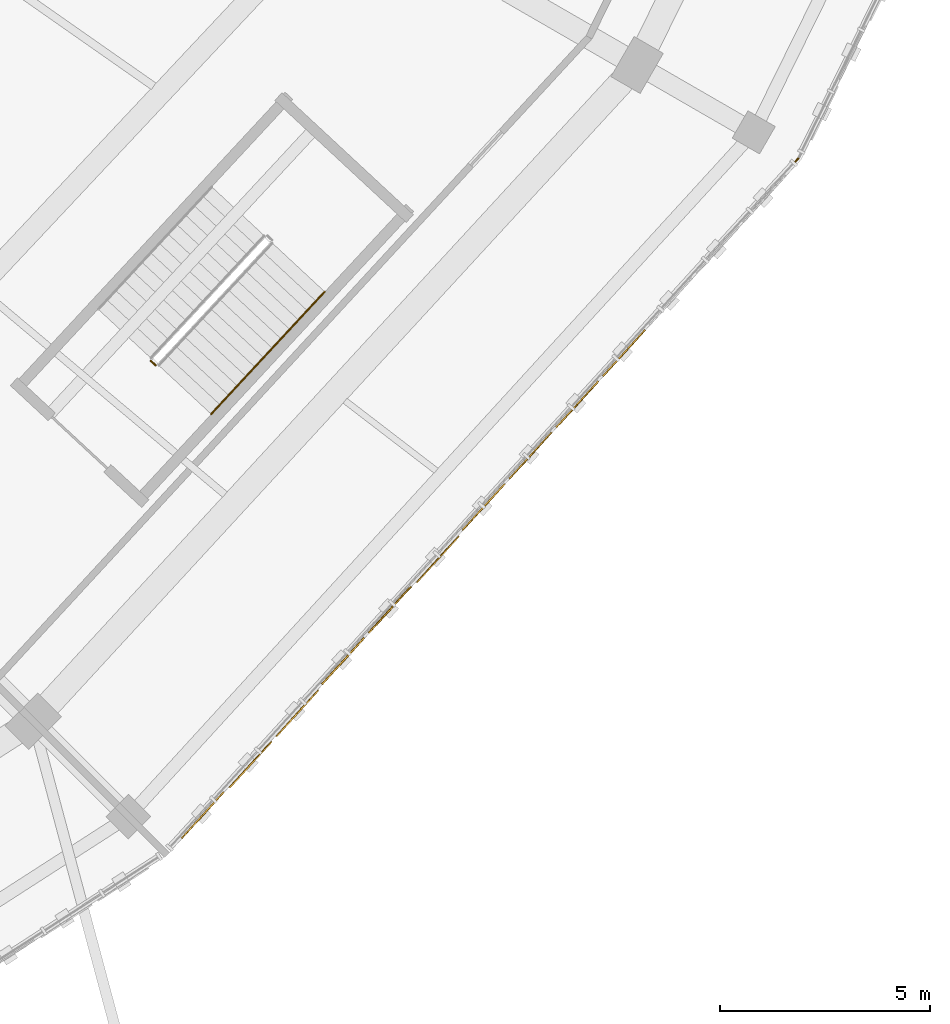
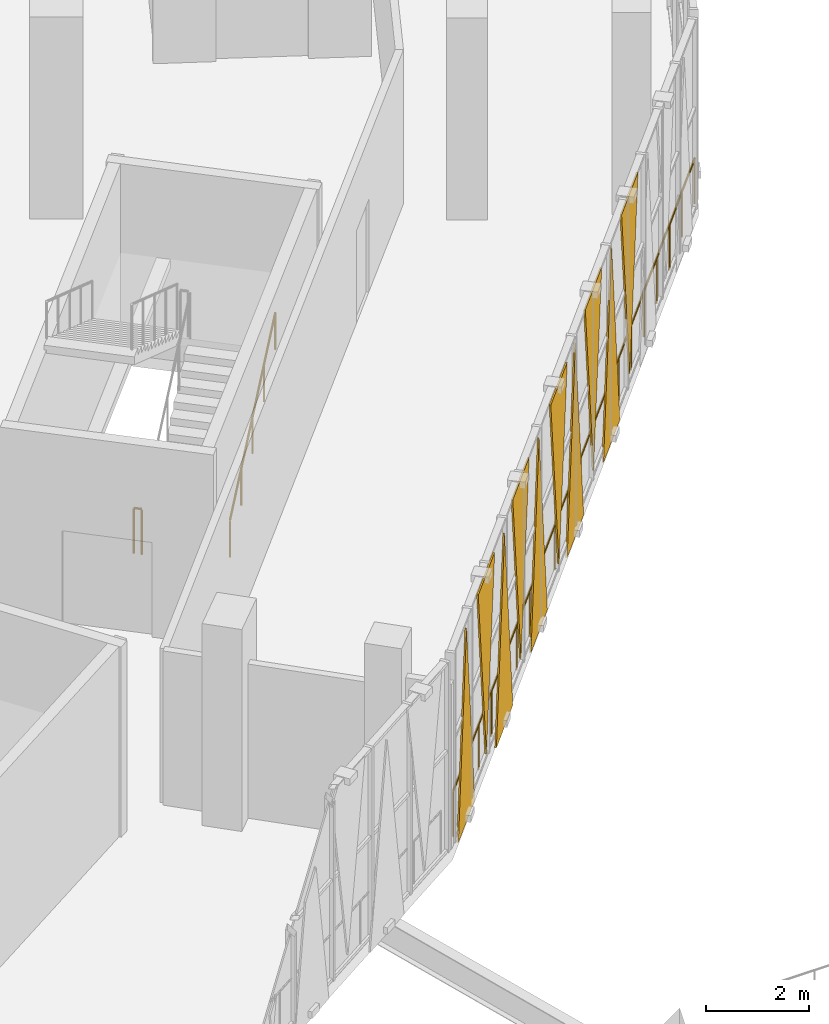
# One storey, part 148 of 183: 10 coverings, 3 railings.
"""IFC4 building model written with IfcOpenShell, lengths in metres."""

from ifc_helpers import new_model, si_unit, direction, frame, origin, origin_2d, place, context, subcontext, project, spatial, polyline, circle, outline, extrude, material, layer, layer_set, type_object, element, save


model = new_model("IFC4")

# Units and contexts
model_context = context("Model", 3, precision=1e-05, world=origin(), true_north=direction((0.0, 1.0)))
body_context = subcontext(model_context, "Body", "Model", "MODEL_VIEW")
ifc_project = project(units=[si_unit("LENGTHUNIT", "METRE"), si_unit("AREAUNIT", "SQUARE_METRE"), si_unit("VOLUMEUNIT", "CUBIC_METRE"), si_unit("PLANEANGLEUNIT", "RADIAN"), si_unit("MASSUNIT", "GRAM", prefix="KILO")], contexts=[model_context])

# Site, building, storey
site_placement = place(None, origin())
site = spatial("IfcSite", under=ifc_project, at=site_placement, CompositionType="ELEMENT")
building_placement = place(site_placement, origin())
building = spatial("IfcBuilding", under=site, at=building_placement, Name="Zevraka Park Crest Stadium", CompositionType="ELEMENT")
storey_placement = place(building_placement, frame((0.0, 0.0, 5.39990234375)))
storey = spatial("IfcBuildingStorey", under=building, at=storey_placement, Name="L01", CompositionType="ELEMENT", Elevation=5.39990234375)

# Coverings
ifc_material_1 = material(Name="Architectural golden-bronze perforated aluminium", Category="aluminium")
ifc_layer = layer(ifc_material_1, 0.034912109375)
ifc_layer_set = layer_set([ifc_layer], Name="Architectural golden-bronze perforated aluminium")
covering_type = type_object("IfcCoveringType", Name="CLD01", PredefinedType="CLADDING", material=ifc_layer_set)
covering_1_placement = place(storey_placement, frame((179.39111328125, 35.965087890625, -0.260009765625), z_axis=(0.739183652813, -0.673503917653, 1.7872411e-05), x_axis=(0.673503917761, 0.739183652931, 0.0)))
element("IfcCovering", 1, at=covering_1_placement, inside=storey, type_object=covering_type, Name="Triangular Golden-Bronze Perforated Cladding L01-21-1", PredefinedType="CLADDING", context=body_context, shape_type="SweptSolid", body=[
    extrude(outline(polyline([(0.0, 0.0), (1.4905722498806995, 0.0), (0.745376357319858, 4.600097656984689), (0.0, 0.0)])), origin(), (0.0, 0.0, -1.0), 0.034912109375),
])
covering_2_placement = place(storey_placement, frame((181.508056640625, 38.287109375, 4.5), z_axis=(-0.738850370592, 0.673869511681, 0.00010536942), x_axis=(-0.673869515422, -0.738850374694, 0.0)))
element("IfcCovering", 2, at=covering_2_placement, inside=storey, type_object=covering_type, Name="Triangular Golden-Bronze Perforated Cladding L01-21-2", PredefinedType="CLADDING", context=body_context, shape_type="SweptSolid", body=[
    extrude(outline(polyline([(0.0, 0.0), (1.4915750454979064, 1.3552527156068805e-20), (0.746198820060612, -4.279785180008618), (0.0, 0.0)])), origin(), (0.0, 0.0, -1.0), 0.034912109375),
])
covering_3_placement = place(storey_placement, frame((181.614990234375, 38.405029296875, -0.260009765625), z_axis=(-0.738850373416, 0.673869514256, 5.8819423e-05), x_axis=(0.673869515422, 0.738850374694, 0.0)))
element("IfcCovering", 3, at=covering_3_placement, inside=storey, type_object=covering_type, Name="Triangular Golden-Bronze Perforated Cladding L01-21-3", PredefinedType="CLADDING", context=body_context, shape_type="SweptSolid", body=[
    extrude(outline(polyline([(0.0, 0.0), (1.4915750454979064, 0.0), (0.7460343011359485, -4.600097664207535), (0.0, 0.0)])), origin(), (0.0, 0.0, -1.0), 0.034912109375),
])
covering_4_placement = place(storey_placement, frame((183.73193359375, 40.72705078125, 4.5), z_axis=(0.739257935755, -0.673422381884, 0.0), x_axis=(-0.673422381884, -0.739257935755, 0.0)))
element("IfcCovering", 4, at=covering_4_placement, inside=storey, type_object=covering_type, Name="Triangular Golden-Bronze Perforated Cladding L01-21-4", PredefinedType="CLADDING", context=body_context, shape_type="SweptSolid", body=[
    extrude(outline(polyline([(0.0, 0.0), (1.4907527237079923, 0.0), (0.7453763618539961, 4.27978515625), (0.0, 0.0)])), origin(), (0.0, 0.0, -1.0), 0.034912109375),
])
covering_5_placement = place(storey_placement, frame((183.840087890625, 40.844970703125, -0.260009765625), z_axis=(0.739257935755, -0.673422381884, 0.0), x_axis=(0.673422381884, 0.739257935755, 0.0)))
element("IfcCovering", 5, at=covering_5_placement, inside=storey, type_object=covering_type, Name="Triangular Golden-Bronze Perforated Cladding L01-21-5", PredefinedType="CLADDING", context=body_context, shape_type="SweptSolid", body=[
    extrude(outline(polyline([(0.0, 0.0), (1.4907527237079923, 0.0), (0.7453763618539961, 4.60009765625), (0.0, 0.0)])), origin(), (0.0, 0.0, -1.0), 0.034912109375),
])
covering_6_placement = place(storey_placement, frame((185.95703125, 43.1669921875, 4.5), z_axis=(-0.738850373217, 0.673869514075, 6.3221652e-05), x_axis=(-0.673869515422, -0.738850374694, 0.0)))
element("IfcCovering", 6, at=covering_6_placement, inside=storey, type_object=covering_type, Name="Triangular Golden-Bronze Perforated Cladding L01-21-6", PredefinedType="CLADDING", context=body_context, shape_type="SweptSolid", body=[
    extrude(outline(polyline([(0.0, 0.0), (1.4915750454979064, 0.0), (0.7460343011359485, -4.279785164803103), (0.0, 0.0)])), origin(), (0.0, 0.0, -1.0), 0.034912109375),
])
covering_7_placement = place(storey_placement, frame((186.06396484375, 43.285888671875, -0.260009765625), z_axis=(0.738552850624, -0.674195584483, 2.6429835e-05), x_axis=(0.674195584719, 0.738552850882, 0.0)))
element("IfcCovering", 7, at=covering_7_placement, inside=storey, type_object=covering_type, Name="Triangular Golden-Bronze Perforated Cladding L01-21-7", PredefinedType="CLADDING", context=body_context, shape_type="SweptSolid", body=[
    extrude(outline(polyline([(0.0, 0.0), (1.490853657169029, 3.3881317890172014e-21), (0.7446547107467312, 4.600097657856668), (0.0, 0.0)])), origin(), (0.0, 0.0, -1.0), 0.034912109375),
])
covering_8_placement = place(storey_placement, frame((188.180908203125, 45.60791015625, 4.5), z_axis=(0.738857539661, -0.673861651506, 0.000103516595), x_axis=(-0.673861655116, -0.73885754362, 0.0)))
element("IfcCovering", 8, at=covering_8_placement, inside=storey, type_object=covering_type, Name="Triangular Golden-Bronze Perforated Cladding L01-21-8", PredefinedType="CLADDING", context=body_context, shape_type="SweptSolid", body=[
    extrude(outline(polyline([(0.0, 0.0), (1.491230143265371, 0.0), (0.7453762301926408, 4.279785179180417), (0.0, 0.0)])), origin(), (0.0, 0.0, -1.0), 0.034912109375),
])
covering_9_placement = place(storey_placement, frame((188.2890625, 45.72607421875, -0.260009765625), z_axis=(0.739183652813, -0.673503917653, 1.7872411e-05), x_axis=(0.673503917761, 0.739183652931, 0.0)))
element("IfcCovering", 9, at=covering_9_placement, inside=storey, type_object=covering_type, Name="Triangular Golden-Bronze Perforated Cladding L01-21-9", PredefinedType="CLADDING", context=body_context, shape_type="SweptSolid", body=[
    extrude(outline(polyline([(0.0, 0.0), (1.4905722498806995, 0.0), (0.745376357319858, 4.600097656984689), (0.0, 0.0)])), origin(), (0.0, 0.0, -1.0), 0.034912109375),
])
covering_10_placement = place(storey_placement, frame((190.405029296875, 48.048095703125, 4.5), z_axis=(0.739176409064, -0.67351186763, 2.1083183e-05), x_axis=(-0.67351186778, -0.739176409229, 0.0)))
element("IfcCovering", 10, at=covering_10_placement, inside=storey, type_object=covering_type, Name="Triangular Golden-Bronze Perforated Cladding L01-21-10", PredefinedType="CLADDING", context=body_context, shape_type="SweptSolid", body=[
    extrude(outline(polyline([(0.0, 0.0), (1.4909171443933684, 0.0), (0.7453763563925119, 4.279785157201184), (0.0, 0.0)])), origin(), (0.0, 0.0, -1.0), 0.034912109375),
])

# Railings
ifc_material_2 = material(Name="Galvanised and bronze-finished steel balustrade", Category="steel")
railing_type_1 = type_object("IfcRailingType", Name="GR01", PredefinedType="GUARDRAIL", material=ifc_material_2)
railing_1_placement = place(storey_placement, frame((194.041015625, 52.139892578125, 0.0)))
element("IfcRailing", 11, at=railing_1_placement, inside=storey, type_object=railing_type_1, Name="Deck Edge Protection Guardrail GR01 L01-24", PredefinedType="GUARDRAIL", context=body_context, shape_type="SweptSolid", body=[
    extrude(circle(Radius=0.02392578125, at=origin_2d()), frame((0.0, 0.0, 1.076171875), z_axis=(-0.673676823625, -0.739026073499, 0.0), x_axis=(0.739026073499, -0.673676823625, 0.0)), (0.0, 0.0, 1.0), 21.98974609375),
    extrude(circle(Radius=0.02099609375, at=origin_2d()), origin(), (0.0, 0.0, 1.0), 1.052001953125),
    extrude(circle(Radius=0.02099609375, at=origin_2d()), frame((-0.77978515625, -0.855224609375, 0.0)), (0.0, 0.0, 1.0), 1.052001953125),
    extrude(circle(Radius=0.02099609375, at=origin_2d()), frame((-1.559326171875, -1.710693359375, 0.0)), (0.0, 0.0, 1.0), 1.052001953125),
    extrude(circle(Radius=0.02099609375, at=origin_2d()), frame((-2.339111328125, -2.56591796875, 0.0)), (0.0, 0.0, 1.0), 1.052001953125),
    extrude(circle(Radius=0.02099609375, at=origin_2d()), frame((-3.11865234375, -3.421142578125, 0.0)), (0.0, 0.0, 1.0), 1.052001953125),
    extrude(circle(Radius=0.02099609375, at=origin_2d()), frame((-3.8984375, -4.276611328125, 0.0)), (0.0, 0.0, 1.0), 1.052001953125),
    extrude(circle(Radius=0.02099609375, at=origin_2d()), frame((-4.677978515625, -5.1318359375, 0.0)), (0.0, 0.0, 1.0), 1.052001953125),
    extrude(circle(Radius=0.02099609375, at=origin_2d()), frame((-5.457763671875, -5.9873046875, 0.0)), (0.0, 0.0, 1.0), 1.052001953125),
    extrude(circle(Radius=0.02099609375, at=origin_2d()), frame((-6.237548828125, -6.842529296875, 0.0)), (0.0, 0.0, 1.0), 1.052001953125),
    extrude(circle(Radius=0.02099609375, at=origin_2d()), frame((-7.01708984375, -7.69775390625, 0.0)), (0.0, 0.0, 1.0), 1.052001953125),
    extrude(circle(Radius=0.02099609375, at=origin_2d()), frame((-7.796875, -8.55322265625, 0.0)), (0.0, 0.0, 1.0), 1.052001953125),
    extrude(circle(Radius=0.02099609375, at=origin_2d()), frame((-8.576416015625, -9.408447265625, 0.0)), (0.0, 0.0, 1.0), 1.052001953125),
    extrude(circle(Radius=0.02099609375, at=origin_2d()), frame((-9.356201171875, -10.263671875, 0.0)), (0.0, 0.0, 1.0), 1.052001953125),
    extrude(circle(Radius=0.02099609375, at=origin_2d()), frame((-10.135986328125, -11.119140625, 0.0)), (0.0, 0.0, 1.0), 1.052001953125),
    extrude(circle(Radius=0.02099609375, at=origin_2d()), frame((-10.91552734375, -11.974365234375, 0.0)), (0.0, 0.0, 1.0), 1.052001953125),
    extrude(circle(Radius=0.02099609375, at=origin_2d()), frame((-11.6953125, -12.829833984375, 0.0)), (0.0, 0.0, 1.0), 1.052001953125),
    extrude(circle(Radius=0.02099609375, at=origin_2d()), frame((-12.474853515625, -13.68505859375, 0.0)), (0.0, 0.0, 1.0), 1.052001953125),
    extrude(circle(Radius=0.02099609375, at=origin_2d()), frame((-13.254638671875, -14.540283203125, 0.0)), (0.0, 0.0, 1.0), 1.052001953125),
    extrude(circle(Radius=0.02099609375, at=origin_2d()), frame((-14.0341796875, -15.395751953125, 0.0)), (0.0, 0.0, 1.0), 1.052001953125),
    extrude(circle(Radius=0.02099609375, at=origin_2d()), frame((-14.81396484375, -16.2509765625, 0.0)), (0.0, 0.0, 1.0), 1.052001953125),
])
ifc_material_3 = material(Name="Powder-coated tubular steel stairwell guard", Category="steel")
railing_type_2 = type_object("IfcRailingType", Name="GR03", PredefinedType="GUARDRAIL", material=ifc_material_3)
railing_2_placement = place(storey_placement, frame((178.76416015625, 47.210205078125, 0.0)))
element("IfcRailing", 12, at=railing_2_placement, inside=storey, type_object=railing_type_2, Name="L01 ST22 stair guard 4", PredefinedType="GUARDRAIL", context=body_context, shape_type="SweptSolid", body=[
    extrude(circle(Radius=0.02392578125, at=origin_2d()), frame((0.0, 0.0, 1.076171875), z_axis=(-0.732576022975, 0.680685221348, 0.0), x_axis=(-0.680685221348, -0.732576022975, 0.0)), (0.0, 0.0, 1.0), 0.159912109375),
    extrude(circle(Radius=0.02099609375, at=origin_2d()), origin(), (0.0, 0.0, 1.0), 1.052001953125),
    extrude(circle(Radius=0.02099609375, at=origin_2d()), frame((-0.1171875, 0.10888671875, 0.0)), (0.0, 0.0, 1.0), 1.052001953125),
])
ifc_material_4 = material(Name="Brushed stainless steel continuous handrail", Category="steel")
railing_type_3 = type_object("IfcRailingType", Name="HR01", PredefinedType="HANDRAIL", material=ifc_material_4)
railing_3_placement = place(storey_placement, frame((180.0810546875, 46.056396484375, 0.171630859375)))
element("IfcRailing", 13, at=railing_3_placement, inside=storey, type_object=railing_type_3, Name="L01 ST22 stair handrail 1", PredefinedType="HANDRAIL", context=body_context, shape_type="SweptSolid", body=[
    extrude(circle(Radius=0.02392578125, at=origin_2d()), frame((0.0, 0.0, 0.8759765625), z_axis=(0.593016024023, 0.638962957094, 0.489957482557), x_axis=(-0.732968909084, 0.680262139412, 0.0)), (0.0, 0.0, 1.0), 4.54833984375),
    extrude(circle(Radius=0.02099609375, at=origin_2d()), origin(), (0.0, 0.0, 1.0), 0.851806640625),
    extrude(circle(Radius=0.02099609375, at=origin_2d()), frame((0.67431640625, 0.7265625, 0.55712890625)), (0.0, 0.0, 1.0), 0.851806640625),
    extrude(circle(Radius=0.02099609375, at=origin_2d()), frame((1.3486328125, 1.453125, 1.1142578125)), (0.0, 0.0, 1.0), 0.851806640625),
    extrude(circle(Radius=0.02099609375, at=origin_2d()), frame((2.02294921875, 2.1796875, 1.67138671875)), (0.0, 0.0, 1.0), 0.851806640625),
    extrude(circle(Radius=0.02099609375, at=origin_2d()), frame((2.697265625, 2.90625, 2.228515625)), (0.0, 0.0, 1.0), 0.851806640625),
])

save(model, "model.ifc")
